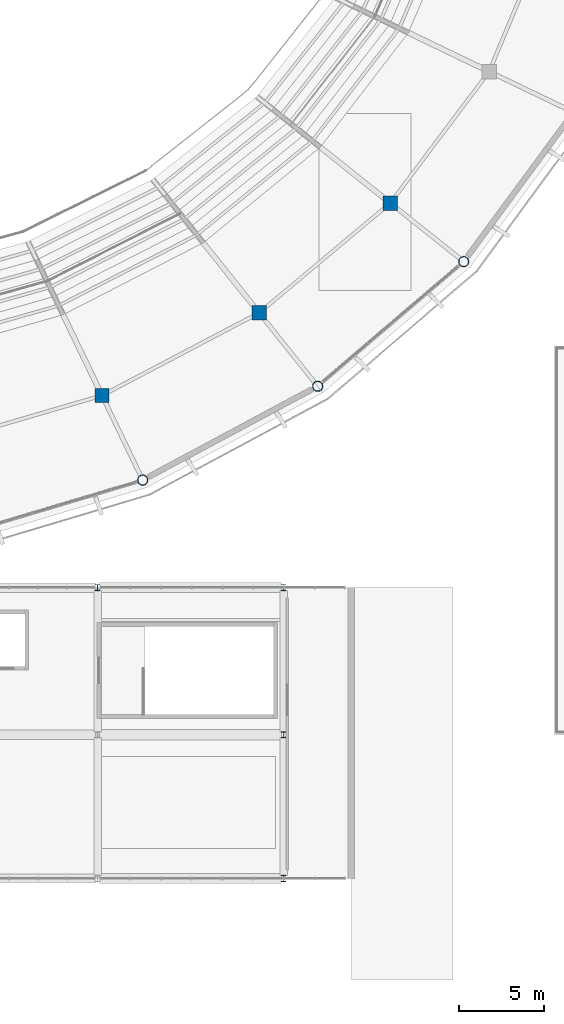
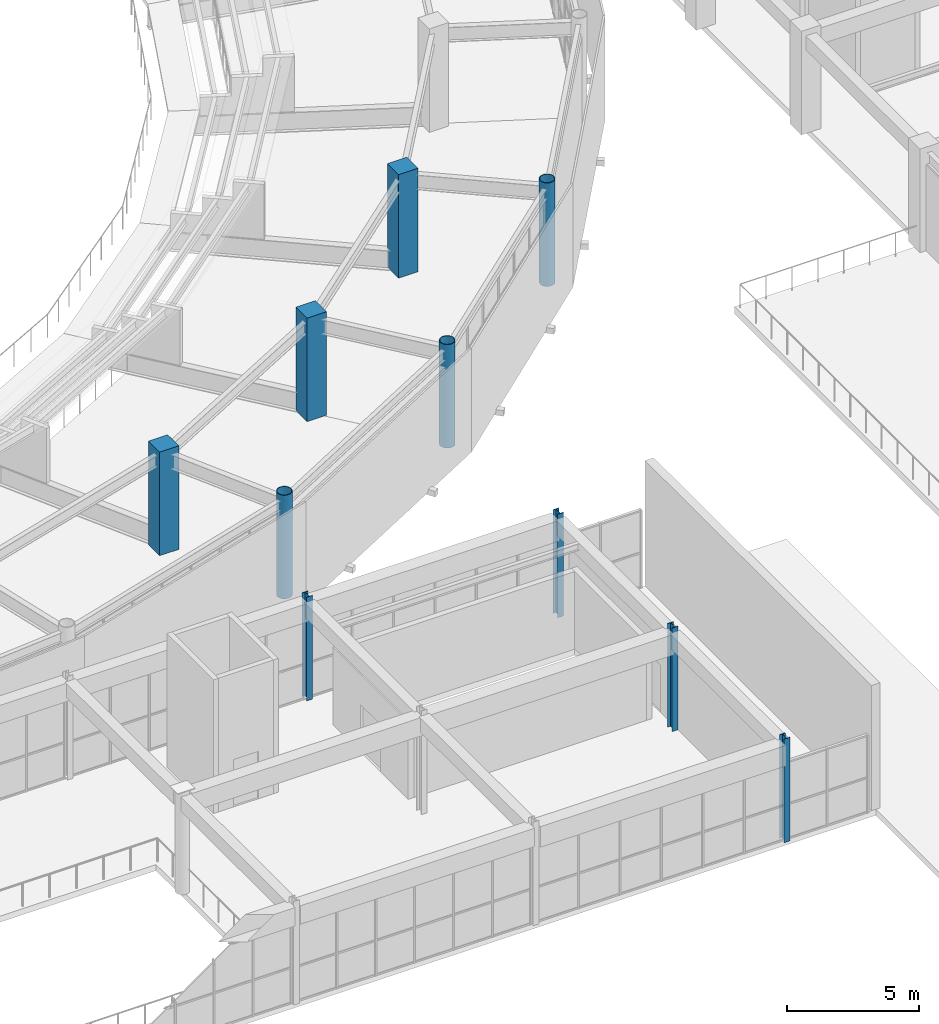
# One storey, part 5 of 122: 10 columns.
"""IFC4 building model written with IfcOpenShell, lengths in metres."""

from ifc_helpers import new_model, si_unit, direction, frame, origin, origin_2d, place, context, subcontext, project, spatial, rectangle, hollow_circle, i_section, extrude, material, material_profile, profile_set, type_object, element, save


model = new_model("IFC4")

# Units and contexts
model_context = context("Model", 3, precision=1e-05, world=origin(), true_north=direction((0.0, 1.0)))
body_context = subcontext(model_context, "Body", "Model", "MODEL_VIEW")
ifc_project = project(units=[si_unit("LENGTHUNIT", "METRE"), si_unit("AREAUNIT", "SQUARE_METRE"), si_unit("VOLUMEUNIT", "CUBIC_METRE"), si_unit("PLANEANGLEUNIT", "RADIAN"), si_unit("MASSUNIT", "GRAM", prefix="KILO")], contexts=[model_context])

# Site, building, storey
site_placement = place(None, origin())
site = spatial("IfcSite", under=ifc_project, at=site_placement, CompositionType="ELEMENT")
building_placement = place(site_placement, origin())
building = spatial("IfcBuilding", under=site, at=building_placement, Name="Cuetzalor Civic Arena", CompositionType="ELEMENT")
storey_placement = place(building_placement, frame((0.0, 0.0, 16.199951171875)))
storey = spatial("IfcBuildingStorey", under=building, at=storey_placement, Name="L03", CompositionType="ELEMENT", Elevation=16.199951171875)

# Columns
ifc_material_1 = material(Name="Concrete C40/50", Category="concrete")
ifc_material_profile_1 = material_profile(ifc_material_1, rectangle(XDim=0.85009765625, YDim=0.85009765625, at=origin_2d()), Name="RC 850x850")
ifc_profile_set_1 = profile_set([ifc_material_profile_1], Name="Concrete C40/50")
column_type_1 = type_object("IfcColumnType", Name="ConcreteColumn_850", PredefinedType="COLUMN", material=ifc_profile_set_1)
for number, where, z_axis, x_axis, name in (
    (1, (21.26025390625, -36.939697265625, 0.0), (0.0, 0.0, 1.0), (1.0, 0.0, 0.0), "Column V1-REC-24 L03"),
    (2, (30.551025390625, -32.05517578125, 0.0), (0.0, 0.0, 1.0), (1.0, 0.0, 0.0), "Column V1-REC-25 L03"),
    (3, (38.309814453125, -25.56298828125, 0.0), (0.0, 0.0, 1.0), (1.0, 0.0, 0.0), "Column V1-REC-26 L03"),
):
    element("IfcColumn", number, at=place(storey_placement, frame(where, z_axis=z_axis, x_axis=x_axis)), inside=storey, type_object=column_type_1, Name=name, PredefinedType="COLUMN", context=body_context, shape_type="SweptSolid", body=[
        extrude(rectangle(XDim=0.85009765625, YDim=0.85009765625, at=origin_2d()), origin(), (0.0, 0.0, 1.0), 4.800048828125),
    ])
ifc_material_2 = material(Name="Steel S355", Category="steel")
ifc_material_profile_2 = material_profile(ifc_material_2, hollow_circle(Radius=0.304931640625, WallThickness=0.02490234375, at=origin_2d()), Name="CHS 610x25")
ifc_profile_set_2 = profile_set([ifc_material_profile_2], Name="Steel S355")
column_type_2 = type_object("IfcColumnType", Name="SteelDomePylon_CHS610", PredefinedType="COLUMN", material=ifc_profile_set_2)
for number, where, z_axis, x_axis, name in (
    (4, (23.66845703125, -41.940185546875, 0.0), (0.0, 0.0, 1.0), (1.0, 0.0, 0.0), "Column V1-PYL-24 L03"),
    (5, (34.011474609375, -36.394287109375, 0.0), (0.0, 0.0, 1.0), (1.0, 0.0, 0.0), "Column V1-PYL-25 L03"),
    (6, (42.64892578125, -29.0234375, 0.0), (0.0, 0.0, 1.0), (1.0, 0.0, 0.0), "Column V1-PYL-26 L03"),
):
    element("IfcColumn", number, at=place(storey_placement, frame(where, z_axis=z_axis, x_axis=x_axis)), inside=storey, type_object=column_type_2, Name=name, PredefinedType="COLUMN", context=body_context, shape_type="SweptSolid", body=[
        extrude(hollow_circle(Radius=0.304931640625, WallThickness=0.02490234375, at=origin_2d()), origin(), (0.0, 0.0, 1.0), 4.800048828125),
    ])
ifc_material_3 = material(Name="Steel S355", Category="steel")
ifc_material_profile_3 = material_profile(ifc_material_3, i_section(OverallWidth=0.257080078125, OverallDepth=0.363037109375, WebThickness=0.012939453125, FlangeThickness=0.021728515625, at=origin_2d()), Name="W360x122")
ifc_profile_set_3 = profile_set([ifc_material_profile_3], Name="Steel S355")
column_type_3 = type_object("IfcColumnType", Name="SteelMezzColumn_W360", PredefinedType="COLUMN", material=ifc_profile_set_3)
for number, where, z_axis, x_axis, name in (
    (7, (21.0, -48.300048828125, 0.0), (0.0, 0.0, 1.0), (1.0, 0.0, 0.0), "Column V3-C-07-04 L03"),
    (8, (32.0, -65.5, 0.0), (0.0, 0.0, 1.0), (1.0, 0.0, 0.0), "Column V3-C-08-02 L03"),
    (9, (32.0, -57.0, 0.0), (0.0, 0.0, 1.0), (1.0, 0.0, 0.0), "Column V3-C-08-03 L03"),
    (10, (32.0, -48.300048828125, 0.0), (0.0, 0.0, 1.0), (1.0, 0.0, 0.0), "Column V3-C-08-04 L03"),
):
    element("IfcColumn", number, at=place(storey_placement, frame(where, z_axis=z_axis, x_axis=x_axis)), inside=storey, type_object=column_type_3, Name=name, PredefinedType="COLUMN", context=body_context, shape_type="SweptSolid", body=[
        extrude(i_section(OverallWidth=0.257080078125, OverallDepth=0.363037109375, WebThickness=0.012939453125, FlangeThickness=0.021728515625, at=origin_2d()), origin(), (0.0, 0.0, 1.0), 4.800048828125),
    ])

save(model, "model.ifc")
